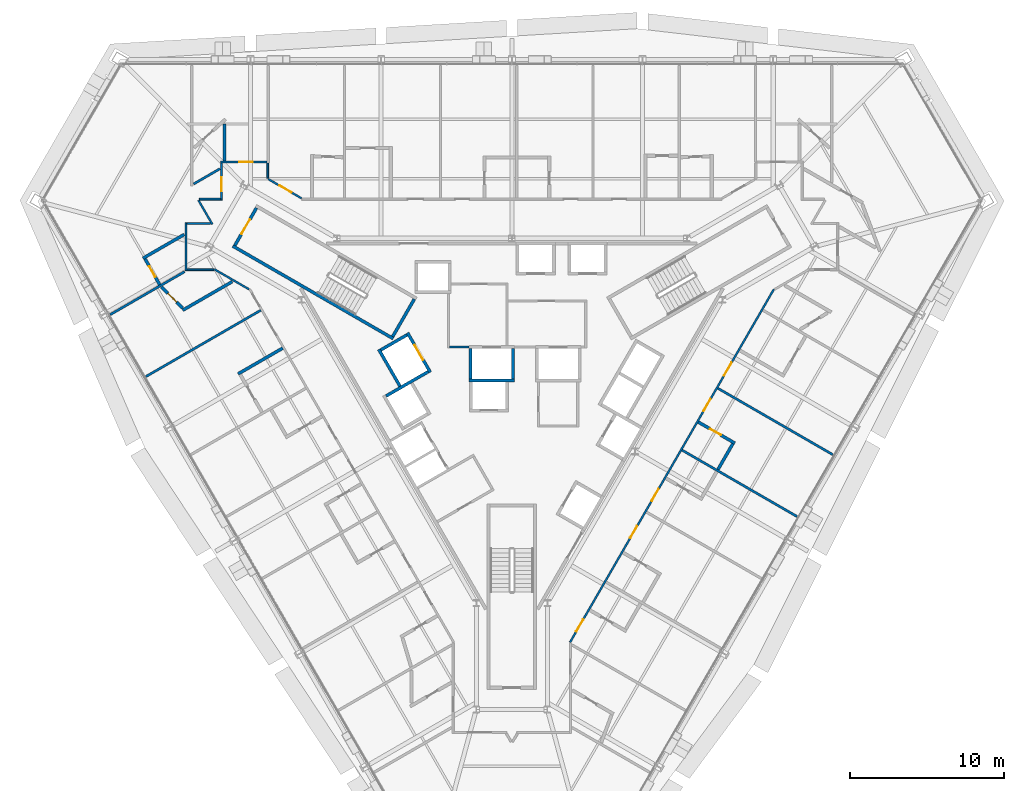
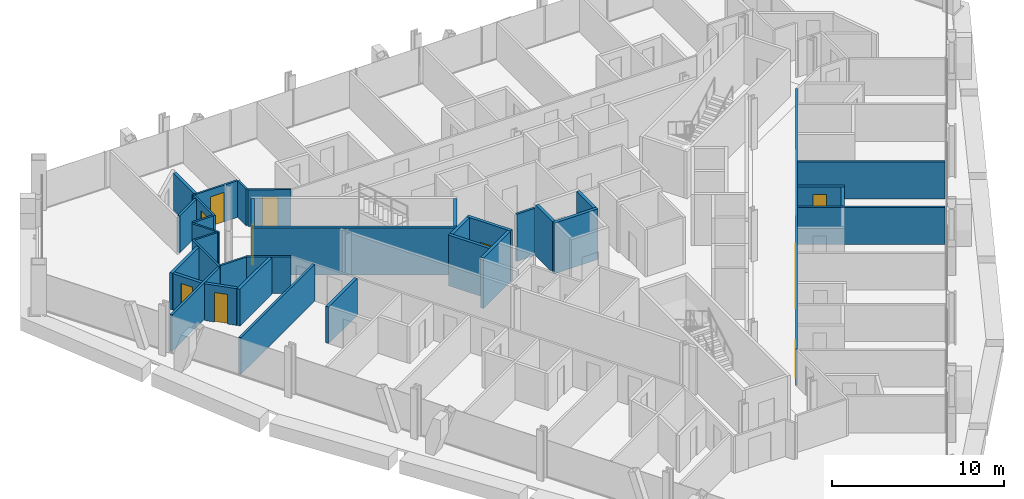
# One storey, part 12 of 17: 35 walls, 13 doors, 13 openings.
"""IFC4 building model written with IfcOpenShell, lengths in metres."""

from ifc_helpers import new_model, si_unit, direction, frame, frame_2d, origin, place, context, subcontext, project, spatial, rectangle, extrude, material, layer, layer_set, type_object, element, fill, save


model = new_model("IFC4")

# Units and contexts
model_context = context("Model", 3, precision=1e-05, world=origin(), true_north=direction((0.0, 1.0)))
body_context = subcontext(model_context, "Body", "Model", "MODEL_VIEW")
ifc_project = project(units=[si_unit("LENGTHUNIT", "METRE"), si_unit("AREAUNIT", "SQUARE_METRE"), si_unit("VOLUMEUNIT", "CUBIC_METRE"), si_unit("PLANEANGLEUNIT", "RADIAN"), si_unit("MASSUNIT", "GRAM", prefix="KILO")], contexts=[model_context])

# Site, building, storey
site_placement = place(None, origin())
site = spatial("IfcSite", under=ifc_project, at=site_placement, CompositionType="ELEMENT")
building_placement = place(site_placement, origin())
building = spatial("IfcBuilding", under=site, at=building_placement, Name="Verrane Prism Tower", CompositionType="ELEMENT")
storey_placement = place(building_placement, frame((0.0, 0.0, 40.39990234375)))
storey = spatial("IfcBuildingStorey", under=building, at=storey_placement, Name="L07", CompositionType="ELEMENT", Elevation=40.39990234375)

# Wall, opening, door
ifc_material_1 = material(Name="Concrete C40/50", Category="concrete")
ifc_layer_1 = layer(ifc_material_1, 0.199951171875)
ifc_layer_set_1 = layer_set([ifc_layer_1], Name="CW-200 stair core wall concrete C40/50 3 h")
wall_type_1 = type_object("IfcWallType", Name="CW-200 stair core wall concrete C40/50 3 h", PredefinedType="PARTITIONING", material=ifc_layer_set_1)
wall_1_placement = place(storey_placement, frame((-16.533935546875, 11.162353515625, 0.0), z_axis=(0.0, 0.0, 1.0), x_axis=(-0.49998411664, -0.866034573852, 0.0)))
wall_1 = element("IfcWall", 1, at=wall_1_placement, inside=storey, type_object=wall_type_1, Name="Stair 2 enclosure wall", PredefinedType="PARTITIONING", context=body_context, shape_type="SweptSolid", body=[
    extrude(rectangle(XDim=2.7998046875, YDim=0.199951171875, at=frame_2d((1.39990234375, 0.0))), origin(), (0.0, 0.0, 1.0), 3.35009765625),
])
opening_1_placement = place(wall_1_placement, frame((0.849853515625, 0.0, 0.0)))
opening_1 = element("IfcOpeningElement", 2, at=opening_1_placement, cuts=wall_1, Name="Opening D06501", PredefinedType="OPENING", context=body_context, shape_type="SweptSolid", body=[
    extrude(rectangle(XDim=1.10009765625, YDim=2.10009765625, at=frame_2d((0.550048828125, 1.050048828125))), frame((0.0, 0.10986328125, 0.0), z_axis=(0.0, -1.0, 0.0), x_axis=(1.0, 0.0, 0.0)), (0.0, 0.0, 1.0), 0.219970703125),
])
ifc_material_2 = material(Name="Timber veneered door leaf", Category="wood")
door_type_1 = type_object("IfcDoorType", Name="DR-1100x2100 FD90 single leaf stair", OperationType="NOTDEFINED", PredefinedType="DOOR", material=ifc_material_2)
door_1_placement = place(opening_1_placement, origin())
door_1 = element("IfcDoor", 3, at=door_1_placement, inside=storey, type_object=door_type_1, Name="Stair 2 door", OperationType="SINGLE_SWING_RIGHT", OverallHeight=2.10009765625, OverallWidth=1.10009765625, PredefinedType="DOOR", context=body_context, shape_type="SweptSolid", body=[
    extrude(rectangle(XDim=1.10009765625, YDim=2.10009765625, at=frame_2d((0.550048828125, 1.050048828125))), frame((0.0, 0.02490234375, 0.0), z_axis=(0.0, -1.0, 0.0), x_axis=(1.0, 0.0, 0.0)), (0.0, 0.0, 1.0), 0.050048828125),
])
fill(opening_1, door_1)

# Walls
wall_2_placement = place(storey_placement, frame((-7.67822265625, 2.700927734375, 0.0), z_axis=(0.0, 0.0, 1.0), x_axis=(-0.866026010844, 0.49999894854, 0.0)))
element("IfcWall", 4, at=wall_2_placement, inside=storey, type_object=wall_type_1, Name="Stair 2 enclosure wall", PredefinedType="PARTITIONING", context=body_context, shape_type="SweptSolid", body=[
    extrude(rectangle(XDim=12.0, YDim=0.199951171875, at=frame_2d((6.0, 0.0))), origin(), (0.0, 0.0, 1.0), 3.35009765625),
])
wall_3_placement = place(storey_placement, frame((-6.314697265625, 5.262451171875, 0.0), z_axis=(0.0, 0.0, 1.0), x_axis=(-0.500049511043, -0.865996816683, 0.0)))
element("IfcWall", 5, at=wall_3_placement, inside=storey, type_object=wall_type_1, Name="Stair 2 enclosure wall", PredefinedType="PARTITIONING", context=body_context, shape_type="SweptSolid", body=[
    extrude(rectangle(XDim=2.800048828125, YDim=0.199951171875, at=frame_2d((1.39990234375, 0.0))), origin(), (0.0, 0.0, 1.0), 3.35009765625),
])
ifc_material_3 = material(Name="Gypsum board shaft wall assembly", Category="other")
ifc_layer_2 = layer(ifc_material_3, 0.199951171875)
ifc_layer_set_2 = layer_set([ifc_layer_2], Name="HW-200 lift shaft wall 2 h")
wall_type_2 = type_object("IfcWallType", Name="HW-200 lift shaft wall 2 h", PredefinedType="PARTITIONING", material=ifc_layer_set_2)
wall_4_placement = place(storey_placement, frame((-2.784912109375, 0.0, 0.0), z_axis=(0.0, 0.0, 1.0), x_axis=(1.0, 0.0, 0.0)))
element("IfcWall", 6, at=wall_4_placement, inside=storey, type_object=wall_type_2, Name="Lift shaft wall", PredefinedType="PARTITIONING", context=body_context, shape_type="SweptSolid", body=[
    extrude(rectangle(XDim=2.949951171875, YDim=0.199951171875, at=frame_2d((1.47509765625, 0.0))), origin(), (0.0, 0.0, 1.0), 3.60009765625),
])
wall_5_placement = place(storey_placement, frame((-8.14453125, -1.012939453125, 0.0), z_axis=(0.0, 0.0, 1.0), x_axis=(0.866016494683, 0.500015430699, 0.0)))
element("IfcWall", 7, at=wall_5_placement, inside=storey, type_object=wall_type_2, Name="Lift shaft wall", PredefinedType="PARTITIONING", context=body_context, shape_type="SweptSolid", body=[
    extrude(rectangle(XDim=3.14990234375, YDim=0.199951171875, at=frame_2d((1.574951171875, 0.0))), origin(), (0.0, 0.0, 1.0), 3.60009765625),
])
for number, where, z_axis, x_axis, name in (
    (8, (-8.48046875, 1.968505859375, 0.0), (0.0, 0.0, 1.0), (0.866000020948, 0.500043961785, 0.0), "Lift shaft wall"),
    (9, (0.06494140625, 0.10009765625, 0.0), (0.0, 0.0, 1.0), (0.0, 1.0, 0.0), "Lift shaft wall"),
    (10, (-2.68505859375, 0.10009765625, 0.0), (0.0, 0.0, 1.0), (0.0, 1.0, 0.0), "Lift shaft wall"),
):
    element("IfcWall", number, at=place(storey_placement, frame(where, z_axis=z_axis, x_axis=x_axis)), inside=storey, type_object=wall_type_2, Name=name, PredefinedType="PARTITIONING", context=body_context, shape_type="SweptSolid", body=[
        extrude(rectangle(XDim=1.949951171875, YDim=0.199951171875, at=frame_2d((0.97509765625, 0.0))), origin(), (0.0, 0.0, 1.0), 3.60009765625),
    ])

# Wall, opening, door
wall_6_placement = place(storey_placement, frame((-5.280029296875, 0.525390625, 0.0), z_axis=(0.0, 0.0, 1.0), x_axis=(-0.500037662692, 0.866003658127, 0.0)))
wall_6 = element("IfcWall", 11, at=wall_6_placement, inside=storey, type_object=wall_type_2, Name="Lift shaft wall", PredefinedType="PARTITIONING", context=body_context, shape_type="SweptSolid", body=[
    extrude(rectangle(XDim=2.949951171875, YDim=0.199951171875, at=frame_2d((1.47509765625, 0.0))), origin(), (0.0, 0.0, 1.0), 3.60009765625),
])
opening_2_placement = place(wall_6_placement, frame((0.925048828125, 0.0, 0.0)))
opening_2 = element("IfcOpeningElement", 12, at=opening_2_placement, cuts=wall_6, Name="Opening D06514", PredefinedType="OPENING", context=body_context, shape_type="SweptSolid", body=[
    extrude(rectangle(XDim=1.10009765625, YDim=2.10009765625, at=frame_2d((0.550048828125, 1.050048828125))), frame((0.0, 0.10986328125, 0.0), z_axis=(0.0, -1.0, 0.0), x_axis=(1.0, 0.0, 0.0)), (0.0, 0.0, 1.0), 0.219970703125),
])
ifc_material_4 = material(Name="Stainless steel sliding landing door", Category="steel")
door_type_2 = type_object("IfcDoorType", Name="LD-1100x2100 lift landing door FD90 sliding", OperationType="NOTDEFINED", PredefinedType="DOOR", material=ifc_material_4)
door_2_placement = place(opening_2_placement, origin())
door_2 = element("IfcDoor", 13, at=door_2_placement, inside=storey, type_object=door_type_2, Name="Service lift 1 landing door", OperationType="SLIDING_TO_LEFT", OverallHeight=2.10009765625, OverallWidth=1.10009765625, PredefinedType="DOOR", context=body_context, shape_type="SweptSolid", body=[
    extrude(rectangle(XDim=1.10009765625, YDim=2.10009765625, at=frame_2d((0.550048828125, 1.050048828125))), frame((0.0, 0.02490234375, 0.0), z_axis=(0.0, -1.0, 0.0), x_axis=(1.0, 0.0, 0.0)), (0.0, 0.0, 1.0), 0.050048828125),
])
fill(opening_2, door_2)

# Walls
wall_7_placement = place(storey_placement, frame((-7.241943359375, -0.37646484375, 0.0), z_axis=(0.0, 0.0, 1.0), x_axis=(-0.499996545922, 0.866027397988, 0.0)))
element("IfcWall", 14, at=wall_7_placement, inside=storey, type_object=wall_type_2, Name="Lift shaft wall", PredefinedType="PARTITIONING", context=body_context, shape_type="SweptSolid", body=[
    extrude(rectangle(XDim=2.75, YDim=0.199951171875, at=frame_2d((1.375, 0.0))), origin(), (0.0, 0.0, 1.0), 3.60009765625),
])
ifc_material_5 = material(Name="Gypsum board partition", Category="other")
ifc_layer_3 = layer(ifc_material_5, 0.14990234375)
ifc_layer_set_3 = layer_set([ifc_layer_3], Name="LF-150 firefighting lobby wall 1 h")
wall_type_3 = type_object("IfcWallType", Name="LF-150 firefighting lobby wall 1 h", PredefinedType="PARTITIONING", material=ifc_layer_set_3)
wall_8_placement = place(storey_placement, frame((-4.02490234375, 2.159912109375, 0.0), z_axis=(0.0, 0.0, 1.0), x_axis=(1.0, 0.0, 0.0)))
element("IfcWall", 15, at=wall_8_placement, inside=storey, type_object=wall_type_3, Name="Firefighting lobby wall LF1-010", PredefinedType="PARTITIONING", context=body_context, shape_type="SweptSolid", body=[
    extrude(rectangle(XDim=1.23779296875, YDim=0.14990234375, at=frame_2d((0.618896484375, 0.0))), origin(), (0.0, 0.0, 1.0), 3.35009765625),
])
ifc_material_6 = material(Name="Gypsum board partition", Category="other")
ifc_layer_4 = layer(ifc_material_6, 0.125)
ifc_layer_set_4 = layer_set([ifc_layer_4], Name="PW-125 corridor wall 1 h")
wall_type_4 = type_object("IfcWallType", Name="PW-125 corridor wall 1 h", PredefinedType="PARTITIONING", material=ifc_layer_set_4)
wall_9_placement = place(storey_placement, frame((-21.096923828125, 7.1005859375, 0.0), z_axis=(0.0, 0.0, 1.0), x_axis=(0.0, 1.0, 0.0)))
element("IfcWall", 16, at=wall_9_placement, inside=storey, type_object=wall_type_4, Name="Corridor wall 007", PredefinedType="PARTITIONING", context=body_context, shape_type="SweptSolid", body=[
    extrude(rectangle(XDim=3.118896484375, YDim=0.125, at=frame_2d((1.5595703125, 0.0))), origin(), (0.0, 0.0, 1.0), 2.613037109375),
])
wall_10_placement = place(storey_placement, frame((-21.031982421875, 7.1630859375, 0.0), z_axis=(0.0, 0.0, 1.0), x_axis=(1.0, 0.0, 0.0)))
element("IfcWall", 17, at=wall_10_placement, inside=storey, type_object=wall_type_4, Name="Corridor wall 008", PredefinedType="PARTITIONING", context=body_context, shape_type="SweptSolid", body=[
    extrude(rectangle(XDim=1.740966796875, YDim=0.125, at=frame_2d((0.87060546875, 0.0))), origin(), (0.0, 0.0, 1.0), 2.613037109375),
])
wall_11_placement = place(storey_placement, frame((-21.031982421875, 10.156982421875, 0.0), z_axis=(0.0, 0.0, 1.0), x_axis=(1.0, 0.0, 0.0)))
element("IfcWall", 18, at=wall_11_placement, inside=storey, type_object=wall_type_4, Name="Corridor wall 009", PredefinedType="PARTITIONING", context=body_context, shape_type="SweptSolid", body=[
    extrude(rectangle(XDim=1.506103515625, YDim=0.125, at=frame_2d((0.7529296875, 0.0))), origin(), (0.0, 0.0, 1.0), 2.613037109375),
])
wall_12_placement = place(storey_placement, frame((-20.29296875, 11.666015625, 0.0), z_axis=(0.0, 0.0, 1.0), x_axis=(0.500327160669, -0.865836435071, 0.0)))
element("IfcWall", 19, at=wall_12_placement, inside=storey, type_object=wall_type_4, Name="Corridor wall 014", PredefinedType="PARTITIONING", context=body_context, shape_type="SweptSolid", body=[
    extrude(rectangle(XDim=1.805419921875, YDim=0.125, at=frame_2d((0.90283203125, 0.0))), origin(), (0.0, 0.0, 1.0), 2.613037109375),
])
wall_13_placement = place(storey_placement, frame((-20.22998046875, 11.740966796875, 0.0), z_axis=(0.0, 0.0, 1.0), x_axis=(1.0, 0.0, 0.0)))
element("IfcWall", 20, at=wall_13_placement, inside=storey, type_object=wall_type_4, Name="Corridor wall 015", PredefinedType="PARTITIONING", context=body_context, shape_type="SweptSolid", body=[
    extrude(rectangle(XDim=1.367919921875, YDim=0.125, at=frame_2d((0.68408203125, 0.0))), origin(), (0.0, 0.0, 1.0), 2.613037109375),
])
wall_14_placement = place(storey_placement, frame((-19.260009765625, 7.1943359375, 0.0), z_axis=(0.0, 0.0, 1.0), x_axis=(0.865944638795, -0.50013986298, 0.0)))
element("IfcWall", 21, at=wall_14_placement, inside=storey, type_object=wall_type_4, Name="Corridor wall 016", PredefinedType="PARTITIONING", context=body_context, shape_type="SweptSolid", body=[
    extrude(rectangle(XDim=2.598876953125, YDim=0.125, at=frame_2d((1.29931640625, 0.0))), origin(), (0.0, 0.0, 1.0), 2.613037109375),
])

# Wall, opening, door
wall_15_placement = place(storey_placement, frame((-18.797119140625, 11.678466796875, 0.0), z_axis=(0.0, 0.0, 1.0), x_axis=(0.0, 1.0, 0.0)))
wall_15 = element("IfcWall", 22, at=wall_15_placement, inside=storey, type_object=wall_type_4, Name="Corridor wall 017", PredefinedType="PARTITIONING", context=body_context, shape_type="SweptSolid", body=[
    extrude(rectangle(XDim=2.3935546875, YDim=0.125, at=frame_2d((1.19677734375, 0.0))), origin(), (0.0, 0.0, 1.0), 2.613037109375),
])
opening_3_placement = place(wall_15_placement, frame((0.5625, 0.0, 0.0)))
opening_3 = element("IfcOpeningElement", 23, at=opening_3_placement, cuts=wall_15, Name="Opening D06017", PredefinedType="OPENING", context=body_context, shape_type="SweptSolid", body=[
    extrude(rectangle(XDim=0.89990234375, YDim=2.10009765625, at=frame_2d((0.449951171875, 1.050048828125))), frame((0.0, 0.072509765625, 0.0), z_axis=(0.0, -1.0, 0.0), x_axis=(1.0, 0.0, 0.0)), (0.0, 0.0, 1.0), 0.14501953125),
])
ifc_material_7 = material(Name="Timber veneered door leaf", Category="wood")
door_type_3 = type_object("IfcDoorType", Name="DR-900x2100 FD20 single leaf unit", OperationType="NOTDEFINED", PredefinedType="DOOR", material=ifc_material_7)
door_3_placement = place(opening_3_placement, origin())
door_3 = element("IfcDoor", 24, at=door_3_placement, inside=storey, type_object=door_type_3, Name="Corner Suite door", OperationType="SINGLE_SWING_LEFT", OverallHeight=2.10009765625, OverallWidth=0.89990234375, PredefinedType="DOOR", context=body_context, shape_type="SweptSolid", body=[
    extrude(rectangle(XDim=0.89990234375, YDim=2.10009765625, at=frame_2d((0.449951171875, 1.050048828125))), frame((0.0, 0.02490234375, 0.0), z_axis=(0.0, -1.0, 0.0), x_axis=(1.0, 0.0, 0.0)), (0.0, 0.0, 1.0), 0.050048828125),
])
fill(opening_3, door_3)

wall_16_placement = place(storey_placement, frame((-18.859619140625, 14.136962890625, 0.0), z_axis=(0.0, 0.0, 1.0), x_axis=(1.0, 0.0, 0.0)))
wall_16 = element("IfcWall", 25, at=wall_16_placement, inside=storey, type_object=wall_type_4, Name="Corridor wall 018", PredefinedType="PARTITIONING", context=body_context, shape_type="SweptSolid", body=[
    extrude(rectangle(XDim=3.004150390625, YDim=0.125, at=frame_2d((1.501953125, 0.0))), origin(), (0.0, 0.0, 1.0), 2.613037109375),
])
opening_4_placement = place(wall_16_placement, frame((1.194580078125, 0.0, 0.0)))
opening_4 = element("IfcOpeningElement", 26, at=opening_4_placement, cuts=wall_16, Name="Opening D06015", PredefinedType="OPENING", context=body_context, shape_type="SweptSolid", body=[
    extrude(rectangle(XDim=0.89990234375, YDim=2.10009765625, at=frame_2d((0.449951171875, 1.050048828125))), frame((0.0, 0.072509765625, 0.0), z_axis=(0.0, -1.0, 0.0), x_axis=(1.0, 0.0, 0.0)), (0.0, 0.0, 1.0), 0.14501953125),
])
door_4_placement = place(opening_4_placement, origin())
door_4 = element("IfcDoor", 27, at=door_4_placement, inside=storey, type_object=door_type_3, Name="Guest Room door", OperationType="SINGLE_SWING_LEFT", OverallHeight=2.10009765625, OverallWidth=0.89990234375, PredefinedType="DOOR", context=body_context, shape_type="SweptSolid", body=[
    extrude(rectangle(XDim=0.89990234375, YDim=2.10009765625, at=frame_2d((0.449951171875, 1.050048828125))), frame((0.0, 0.02490234375, 0.0), z_axis=(0.0, -1.0, 0.0), x_axis=(1.0, 0.0, 0.0)), (0.0, 0.0, 1.0), 0.050048828125),
])
fill(opening_4, door_4)

# Wall
wall_17_placement = place(storey_placement, frame((-15.802978515625, 13.090087890625, 0.0), z_axis=(0.0, 0.0, 1.0), x_axis=(0.0, 1.0, 0.0)))
element("IfcWall", 28, at=wall_17_placement, inside=storey, type_object=wall_type_4, Name="Corridor wall 025", PredefinedType="PARTITIONING", context=body_context, shape_type="SweptSolid", body=[
    extrude(rectangle(XDim=0.98193359375, YDim=0.125, at=frame_2d((0.490966796875, 0.0))), origin(), (0.0, 0.0, 1.0), 2.613037109375),
])

# Wall, opening, door
wall_18_placement = place(storey_placement, frame((-15.778076171875, 13.034912109375, 0.0), z_axis=(0.0, 0.0, 1.0), x_axis=(0.866110899347, -0.499851888094, 0.0)))
wall_18 = element("IfcWall", 29, at=wall_18_placement, inside=storey, type_object=wall_type_4, Name="Corridor wall 027", PredefinedType="PARTITIONING", context=body_context, shape_type="SweptSolid", body=[
    extrude(rectangle(XDim=2.503662109375, YDim=0.125, at=frame_2d((1.251953125, 0.0))), origin(), (0.0, 0.0, 1.0), 2.613037109375),
])
opening_5_placement = place(wall_18_placement, frame((0.85009765625, 0.0, 0.0)))
opening_5 = element("IfcOpeningElement", 30, at=opening_5_placement, cuts=wall_18, Name="Opening D06013", PredefinedType="OPENING", context=body_context, shape_type="SweptSolid", body=[
    extrude(rectangle(XDim=0.89990234375, YDim=2.10009765625, at=frame_2d((0.449951171875, 1.050048828125))), frame((0.0, 0.072509765625, 0.0), z_axis=(0.0, -1.0, 0.0), x_axis=(1.0, 0.0, 0.0)), (0.0, 0.0, 1.0), 0.14501953125),
])
door_5_placement = place(opening_5_placement, origin())
door_5 = element("IfcDoor", 31, at=door_5_placement, inside=storey, type_object=door_type_3, Name="Guest Room door", OperationType="SINGLE_SWING_LEFT", OverallHeight=2.10009765625, OverallWidth=0.89990234375, PredefinedType="DOOR", context=body_context, shape_type="SweptSolid", body=[
    extrude(rectangle(XDim=0.89990234375, YDim=2.10009765625, at=frame_2d((0.449951171875, 1.050048828125))), frame((0.0, 0.02490234375, 0.0), z_axis=(0.0, -1.0, 0.0), x_axis=(1.0, 0.0, 0.0)), (0.0, 0.0, 1.0), 0.050048828125),
])
fill(opening_5, door_5)

# Wall, openings, doors
wall_19_placement = place(storey_placement, frame((16.96728515625, 5.906005859375, 0.0), z_axis=(0.0, 0.0, 1.0), x_axis=(-0.500024758804, -0.866011108811, 0.0)))
wall_19 = element("IfcWall", 32, at=wall_19_placement, inside=storey, type_object=wall_type_4, Name="Corridor wall 062", PredefinedType="PARTITIONING", context=body_context, shape_type="SweptSolid", body=[
    extrude(rectangle(XDim=26.401611328125, YDim=0.125, at=frame_2d((13.20068359375, 0.0))), origin(), (0.0, 0.0, 1.0), 2.613037109375),
])
opening_6_placement = place(wall_19_placement, frame((24.689208984375, 0.0, 0.0)))
opening_6 = element("IfcOpeningElement", 33, at=opening_6_placement, cuts=wall_19, Name="Opening D06036", PredefinedType="OPENING", context=body_context, shape_type="SweptSolid", body=[
    extrude(rectangle(XDim=0.89990234375, YDim=2.10009765625, at=frame_2d((0.449951171875, 1.050048828125))), frame((0.0, 0.072509765625, 0.0), z_axis=(0.0, -1.0, 0.0), x_axis=(1.0, 0.0, 0.0)), (0.0, 0.0, 1.0), 0.14501953125),
])
opening_7_placement = place(wall_19_placement, frame((17.709228515625, 0.0, 0.0)))
opening_7 = element("IfcOpeningElement", 34, at=opening_7_placement, cuts=wall_19, Name="Opening D06038", PredefinedType="OPENING", context=body_context, shape_type="SweptSolid", body=[
    extrude(rectangle(XDim=0.89990234375, YDim=2.10009765625, at=frame_2d((0.449951171875, 1.050048828125))), frame((0.0, 0.072509765625, 0.0), z_axis=(0.0, -1.0, 0.0), x_axis=(1.0, 0.0, 0.0)), (0.0, 0.0, 1.0), 0.14501953125),
])
opening_8_placement = place(wall_19_placement, frame((14.92822265625, 0.0, 0.0)))
opening_8 = element("IfcOpeningElement", 35, at=opening_8_placement, cuts=wall_19, Name="Opening D06040", PredefinedType="OPENING", context=body_context, shape_type="SweptSolid", body=[
    extrude(rectangle(XDim=0.89990234375, YDim=2.10009765625, at=frame_2d((0.449951171875, 1.050048828125))), frame((0.0, 0.072509765625, 0.0), z_axis=(0.0, -1.0, 0.0), x_axis=(1.0, 0.0, 0.0)), (0.0, 0.0, 1.0), 0.14501953125),
])
opening_9_placement = place(wall_19_placement, frame((8.2001953125, 0.0, 0.0)))
opening_9 = element("IfcOpeningElement", 36, at=opening_9_placement, cuts=wall_19, Name="Opening D06042", PredefinedType="OPENING", context=body_context, shape_type="SweptSolid", body=[
    extrude(rectangle(XDim=0.89990234375, YDim=2.10009765625, at=frame_2d((0.449951171875, 1.050048828125))), frame((0.0, 0.072509765625, 0.0), z_axis=(0.0, -1.0, 0.0), x_axis=(1.0, 0.0, 0.0)), (0.0, 0.0, 1.0), 0.14501953125),
])
opening_10_placement = place(wall_19_placement, frame((5.473388671875, 0.0, 0.0)))
opening_10 = element("IfcOpeningElement", 37, at=opening_10_placement, cuts=wall_19, Name="Opening D06044", PredefinedType="OPENING", context=body_context, shape_type="SweptSolid", body=[
    extrude(rectangle(XDim=1.0, YDim=2.10009765625, at=frame_2d((0.5, 1.050048828125))), frame((0.0, 0.072509765625, 0.0), z_axis=(0.0, -1.0, 0.0), x_axis=(1.0, 0.0, 0.0)), (0.0, 0.0, 1.0), 0.14501953125),
])
ifc_material_8 = material(Name="Timber veneered door leaf", Category="wood")
door_type_4 = type_object("IfcDoorType", Name="DR-1000x2100 FD20 single leaf unit", OperationType="NOTDEFINED", PredefinedType="DOOR", material=ifc_material_8)
door_6_placement = place(opening_10_placement, origin())
door_6 = element("IfcDoor", 38, at=door_6_placement, inside=storey, type_object=door_type_4, Name="Accessible Guest Room door", OperationType="SINGLE_SWING_LEFT", OverallHeight=2.10009765625, OverallWidth=1.0, PredefinedType="DOOR", context=body_context, shape_type="SweptSolid", body=[
    extrude(rectangle(XDim=1.0, YDim=2.10009765625, at=frame_2d((0.5, 1.050048828125))), frame((0.0, 0.02490234375, 0.0), z_axis=(0.0, -1.0, 0.0), x_axis=(1.0, 0.0, 0.0)), (0.0, 0.0, 1.0), 0.050048828125),
])
fill(opening_10, door_6)
door_7_placement = place(opening_6_placement, origin())
door_7 = element("IfcDoor", 39, at=door_7_placement, inside=storey, type_object=door_type_3, Name="Guest Room door", OperationType="SINGLE_SWING_LEFT", OverallHeight=2.10009765625, OverallWidth=0.89990234375, PredefinedType="DOOR", context=body_context, shape_type="SweptSolid", body=[
    extrude(rectangle(XDim=0.89990234375, YDim=2.10009765625, at=frame_2d((0.449951171875, 1.050048828125))), frame((0.0, 0.02490234375, 0.0), z_axis=(0.0, -1.0, 0.0), x_axis=(1.0, 0.0, 0.0)), (0.0, 0.0, 1.0), 0.050048828125),
])
fill(opening_6, door_7)
door_8_placement = place(opening_7_placement, origin())
door_8 = element("IfcDoor", 40, at=door_8_placement, inside=storey, type_object=door_type_3, Name="Guest Room door", OperationType="SINGLE_SWING_LEFT", OverallHeight=2.10009765625, OverallWidth=0.89990234375, PredefinedType="DOOR", context=body_context, shape_type="SweptSolid", body=[
    extrude(rectangle(XDim=0.89990234375, YDim=2.10009765625, at=frame_2d((0.449951171875, 1.050048828125))), frame((0.0, 0.02490234375, 0.0), z_axis=(0.0, -1.0, 0.0), x_axis=(1.0, 0.0, 0.0)), (0.0, 0.0, 1.0), 0.050048828125),
])
fill(opening_7, door_8)
door_9_placement = place(opening_8_placement, origin())
door_9 = element("IfcDoor", 41, at=door_9_placement, inside=storey, type_object=door_type_3, Name="Guest Room door", OperationType="SINGLE_SWING_LEFT", OverallHeight=2.10009765625, OverallWidth=0.89990234375, PredefinedType="DOOR", context=body_context, shape_type="SweptSolid", body=[
    extrude(rectangle(XDim=0.89990234375, YDim=2.10009765625, at=frame_2d((0.449951171875, 1.050048828125))), frame((0.0, 0.02490234375, 0.0), z_axis=(0.0, -1.0, 0.0), x_axis=(1.0, 0.0, 0.0)), (0.0, 0.0, 1.0), 0.050048828125),
])
fill(opening_8, door_9)
door_10_placement = place(opening_9_placement, origin())
door_10 = element("IfcDoor", 42, at=door_10_placement, inside=storey, type_object=door_type_3, Name="Guest Room door", OperationType="SINGLE_SWING_LEFT", OverallHeight=2.10009765625, OverallWidth=0.89990234375, PredefinedType="DOOR", context=body_context, shape_type="SweptSolid", body=[
    extrude(rectangle(XDim=0.89990234375, YDim=2.10009765625, at=frame_2d((0.449951171875, 1.050048828125))), frame((0.0, 0.02490234375, 0.0), z_axis=(0.0, -1.0, 0.0), x_axis=(1.0, 0.0, 0.0)), (0.0, 0.0, 1.0), 0.050048828125),
])
fill(opening_9, door_10)

# Walls
ifc_material_9 = material(Name="Gypsum board partition", Category="other")
ifc_layer_5 = layer(ifc_material_9, 0.14990234375)
ifc_layer_set_5 = layer_set([ifc_layer_5], Name="PW-150 demising wall 1 h")
wall_type_5 = type_object("IfcWallType", Name="PW-150 demising wall 1 h", PredefinedType="PARTITIONING", material=ifc_layer_set_5)
wall_20_placement = place(storey_placement, frame((-26.005859375, 4.25390625, 0.0), z_axis=(0.0, 0.0, 1.0), x_axis=(0.865981654797, 0.500075767815, 0.0)))
element("IfcWall", 43, at=wall_20_placement, inside=storey, type_object=wall_type_5, Name="Demising wall 001", PredefinedType="PARTITIONING", context=body_context, shape_type="SweptSolid", body=[
    extrude(rectangle(XDim=5.562744140625, YDim=0.14990234375, at=frame_2d((2.78125, 0.0))), origin(), (0.0, 0.0, 1.0), 2.613037109375),
])
wall_21_placement = place(storey_placement, frame((-23.692626953125, 0.2470703125, 0.0), z_axis=(0.0, 0.0, 1.0), x_axis=(0.866031705461, 0.499989085017, 0.0)))
element("IfcWall", 44, at=wall_21_placement, inside=storey, type_object=wall_type_5, Name="Demising wall 004", PredefinedType="PARTITIONING", context=body_context, shape_type="SweptSolid", body=[
    extrude(rectangle(XDim=8.586669921875, YDim=0.14990234375, at=frame_2d((4.29345703125, 0.0))), origin(), (0.0, 0.0, 1.0), 2.613037109375),
])
wall_22_placement = place(storey_placement, frame((-20.602294921875, 12.717041015625, 0.0), z_axis=(0.0, 0.0, 1.0), x_axis=(0.866121584746, 0.499833372672, 0.0)))
element("IfcWall", 45, at=wall_22_placement, inside=storey, type_object=wall_type_5, Name="Demising wall 012", PredefinedType="PARTITIONING", context=body_context, shape_type="SweptSolid", body=[
    extrude(rectangle(XDim=1.968994140625, YDim=0.14990234375, at=frame_2d((0.984375, 0.0))), origin(), (0.0, 0.0, 1.0), 2.613037109375),
])
wall_23_placement = place(storey_placement, frame((11.021240234375, -4.517333984375, 0.0), z_axis=(0.0, 0.0, 1.0), x_axis=(0.866029425019, -0.499993034952, 0.0)))
element("IfcWall", 46, at=wall_23_placement, inside=storey, type_object=wall_type_5, Name="Demising wall 076", PredefinedType="PARTITIONING", context=body_context, shape_type="SweptSolid", body=[
    extrude(rectangle(XDim=8.59130859375, YDim=0.14990234375, at=frame_2d((4.295654296875, 0.0))), origin(), (0.0, 0.0, 1.0), 2.613037109375),
])
wall_24_placement = place(storey_placement, frame((13.335205078125, -0.51025390625, 0.0), z_axis=(0.0, 0.0, 1.0), x_axis=(0.865995804368, -0.50005126419, 0.0)))
element("IfcWall", 47, at=wall_24_placement, inside=storey, type_object=wall_type_5, Name="Demising wall 080", PredefinedType="PARTITIONING", context=body_context, shape_type="SweptSolid", body=[
    extrude(rectangle(XDim=8.5908203125, YDim=0.14990234375, at=frame_2d((4.29541015625, 0.0))), origin(), (0.0, 0.0, 1.0), 2.613037109375),
])

# Wall, opening, door
ifc_material_10 = material(Name="Gypsum board partition", Category="other")
ifc_layer_6 = layer(ifc_material_10, 0.199951171875)
ifc_layer_set_6 = layer_set([ifc_layer_6], Name="PW-200 plumbing wall")
wall_type_6 = type_object("IfcWallType", Name="PW-200 plumbing wall", PredefinedType="PARTITIONING", material=ifc_layer_set_6)
wall_25_placement = place(storey_placement, frame((-23.745361328125, 7.862548828125, 0.0), z_axis=(0.0, 0.0, 1.0), x_axis=(0.492970842961, -0.870045830971, 0.0)))
wall_25 = element("IfcWall", 48, at=wall_25_placement, inside=storey, type_object=wall_type_6, Name="Plumbing wall 002", PredefinedType="PARTITIONING", context=body_context, shape_type="SweptSolid", body=[
    extrude(rectangle(XDim=1.919189453125, YDim=0.199951171875, at=frame_2d((0.95947265625, 0.0))), origin(), (0.0, 0.0, 1.0), 2.613037109375),
])
opening_11_placement = place(wall_25_placement, frame((0.544921875, 0.0, 0.0)))
opening_11 = element("IfcOpeningElement", 49, at=opening_11_placement, cuts=wall_25, Name="Opening D06018", PredefinedType="OPENING", context=body_context, shape_type="SweptSolid", body=[
    extrude(rectangle(XDim=0.800048828125, YDim=2.10009765625, at=frame_2d((0.39990234375, 1.050048828125))), frame((0.0, 0.10986328125, 0.0), z_axis=(0.0, -1.0, 0.0), x_axis=(1.0, 0.0, 0.0)), (0.0, 0.0, 1.0), 0.219970703125),
])
ifc_material_11 = material(Name="Timber veneered door leaf", Category="wood")
door_type_5 = type_object("IfcDoorType", Name="DR-800x2100 single leaf bath", OperationType="NOTDEFINED", PredefinedType="DOOR", material=ifc_material_11)
door_11_placement = place(opening_11_placement, origin())
door_11 = element("IfcDoor", 50, at=door_11_placement, inside=storey, type_object=door_type_5, Name="En-Suite door", OperationType="SINGLE_SWING_RIGHT", OverallHeight=2.10009765625, OverallWidth=0.800048828125, PredefinedType="DOOR", context=body_context, shape_type="SweptSolid", body=[
    extrude(rectangle(XDim=0.800048828125, YDim=2.10009765625, at=frame_2d((0.39990234375, 1.050048828125))), frame((0.0, 0.02490234375, 0.0), z_axis=(0.0, -1.0, 0.0), x_axis=(1.0, 0.0, 0.0)), (0.0, 0.0, 1.0), 0.050048828125),
])
fill(opening_11, door_11)

# Wall
wall_26_placement = place(storey_placement, frame((-23.883544921875, 7.904052734375, 0.0), z_axis=(0.0, 0.0, 1.0), x_axis=(0.866015731669, 0.500016752221, 0.0)))
element("IfcWall", 51, at=wall_26_placement, inside=storey, type_object=wall_type_6, Name="Plumbing wall 003", PredefinedType="PARTITIONING", context=body_context, shape_type="SweptSolid", body=[
    extrude(rectangle(XDim=3.087890625, YDim=0.199951171875, at=frame_2d((1.5439453125, 0.0))), origin(), (0.0, 0.0, 1.0), 2.613037109375),
])

# Wall, opening, door
wall_27_placement = place(storey_placement, frame((-22.688232421875, 6.05322265625, 0.0), z_axis=(0.0, 0.0, 1.0), x_axis=(0.707106781187, -0.707106781187, 0.0)))
wall_27 = element("IfcWall", 52, at=wall_27_placement, inside=storey, type_object=wall_type_6, Name="Plumbing wall 005", PredefinedType="PARTITIONING", context=body_context, shape_type="SweptSolid", body=[
    extrude(rectangle(XDim=1.944091796875, YDim=0.199951171875, at=frame_2d((0.97216796875, 0.0))), origin(), (0.0, 0.0, 1.0), 2.613037109375),
])
opening_12_placement = place(wall_27_placement, frame((0.595458984375, 0.0, 0.0)))
opening_12 = element("IfcOpeningElement", 53, at=opening_12_placement, cuts=wall_27, Name="Opening D06020", PredefinedType="OPENING", context=body_context, shape_type="SweptSolid", body=[
    extrude(rectangle(XDim=0.800048828125, YDim=2.10009765625, at=frame_2d((0.39990234375, 1.050048828125))), frame((0.0, 0.10986328125, 0.0), z_axis=(0.0, -1.0, 0.0), x_axis=(1.0, 0.0, 0.0)), (0.0, 0.0, 1.0), 0.219970703125),
])
door_12_placement = place(opening_12_placement, origin())
door_12 = element("IfcDoor", 54, at=door_12_placement, inside=storey, type_object=door_type_5, Name="En-Suite door", OperationType="SINGLE_SWING_RIGHT", OverallHeight=2.10009765625, OverallWidth=0.800048828125, PredefinedType="DOOR", context=body_context, shape_type="SweptSolid", body=[
    extrude(rectangle(XDim=0.800048828125, YDim=2.10009765625, at=frame_2d((0.39990234375, 1.050048828125))), frame((0.0, 0.02490234375, 0.0), z_axis=(0.0, -1.0, 0.0), x_axis=(1.0, 0.0, 0.0)), (0.0, 0.0, 1.0), 0.050048828125),
])
fill(opening_12, door_12)

# Walls
wall_28_placement = place(storey_placement, frame((-21.3115234375, 4.5400390625, 0.0), z_axis=(0.0, 0.0, 1.0), x_axis=(0.866071583234, 0.499920006315, 0.0)))
element("IfcWall", 55, at=wall_28_placement, inside=storey, type_object=wall_type_6, Name="Plumbing wall 006", PredefinedType="PARTITIONING", context=body_context, shape_type="SweptSolid", body=[
    extrude(rectangle(XDim=3.70849609375, YDim=0.199951171875, at=frame_2d((1.854248046875, 0.0))), origin(), (0.0, 0.0, 1.0), 2.613037109375),
])
wall_29_placement = place(storey_placement, frame((-18.614990234375, 14.199462890625, 0.0), z_axis=(0.0, 0.0, 1.0), x_axis=(0.0, 1.0, 0.0)))
element("IfcWall", 56, at=wall_29_placement, inside=storey, type_object=wall_type_6, Name="Plumbing wall 019", PredefinedType="PARTITIONING", context=body_context, shape_type="SweptSolid", body=[
    extrude(rectangle(XDim=2.41259765625, YDim=0.199951171875, at=frame_2d((1.206298828125, 0.0))), origin(), (0.0, 0.0, 1.0), 2.613037109375),
])
wall_30_placement = place(storey_placement, frame((-17.724609375, 0.4189453125, 0.0), z_axis=(0.0, 0.0, 1.0), x_axis=(0.865960142641, 0.500113018585, 0.0)))
element("IfcWall", 57, at=wall_30_placement, inside=storey, type_object=wall_type_6, Name="Plumbing wall 022", PredefinedType="PARTITIONING", context=body_context, shape_type="SweptSolid", body=[
    extrude(rectangle(XDim=3.336669921875, YDim=0.199951171875, at=frame_2d((1.66845703125, 0.0))), origin(), (0.0, 0.0, 1.0), 2.613037109375),
])

# Wall, opening, door
wall_31_placement = place(storey_placement, frame((14.441650390625, -4.068115234375, 0.0), z_axis=(0.0, 0.0, 1.0), x_axis=(-0.865989529477, 0.500062130976, 0.0)))
wall_31 = element("IfcWall", 58, at=wall_31_placement, inside=storey, type_object=wall_type_6, Name="Plumbing wall 077", PredefinedType="PARTITIONING", context=body_context, shape_type="SweptSolid", body=[
    extrude(rectangle(XDim=2.737548828125, YDim=0.199951171875, at=frame_2d((1.36865234375, 0.0))), origin(), (0.0, 0.0, 1.0), 2.613037109375),
])
opening_13_placement = place(wall_31_placement, frame((1.0498046875, 0.0, 0.0)))
opening_13 = element("IfcOpeningElement", 59, at=opening_13_placement, cuts=wall_31, Name="Opening D06043", PredefinedType="OPENING", context=body_context, shape_type="SweptSolid", body=[
    extrude(rectangle(XDim=0.800048828125, YDim=2.10009765625, at=frame_2d((0.39990234375, 1.050048828125))), frame((0.0, 0.10986328125, 0.0), z_axis=(0.0, -1.0, 0.0), x_axis=(1.0, 0.0, 0.0)), (0.0, 0.0, 1.0), 0.219970703125),
])
door_13_placement = place(opening_13_placement, origin())
door_13 = element("IfcDoor", 60, at=door_13_placement, inside=storey, type_object=door_type_5, Name="En-Suite door", OperationType="SINGLE_SWING_RIGHT", OverallHeight=2.10009765625, OverallWidth=0.800048828125, PredefinedType="DOOR", context=body_context, shape_type="SweptSolid", body=[
    extrude(rectangle(XDim=0.800048828125, YDim=2.10009765625, at=frame_2d((0.39990234375, 1.050048828125))), frame((0.0, 0.02490234375, 0.0), z_axis=(0.0, -1.0, 0.0), x_axis=(1.0, 0.0, 0.0)), (0.0, 0.0, 1.0), 0.050048828125),
])
fill(opening_13, door_13)

# Wall
wall_32_placement = place(storey_placement, frame((13.345458984375, -5.76708984375, 0.0), z_axis=(0.0, 0.0, 1.0), x_axis=(0.499832553123, 0.866122057702, 0.0)))
element("IfcWall", 61, at=wall_32_placement, inside=storey, type_object=wall_type_6, Name="Plumbing wall 081", PredefinedType="PARTITIONING", context=body_context, shape_type="SweptSolid", body=[
    extrude(rectangle(XDim=1.919677734375, YDim=0.199951171875, at=frame_2d((0.9599609375, 0.0))), origin(), (0.0, 0.0, 1.0), 2.613037109375),
])

save(model, "model.ifc")
